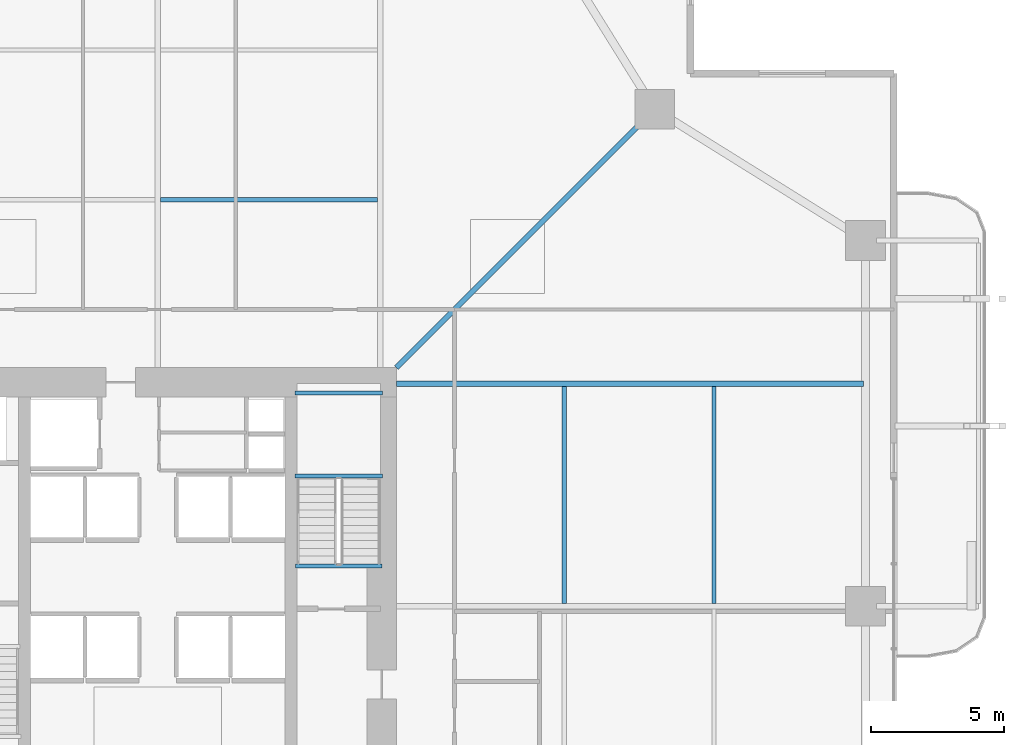
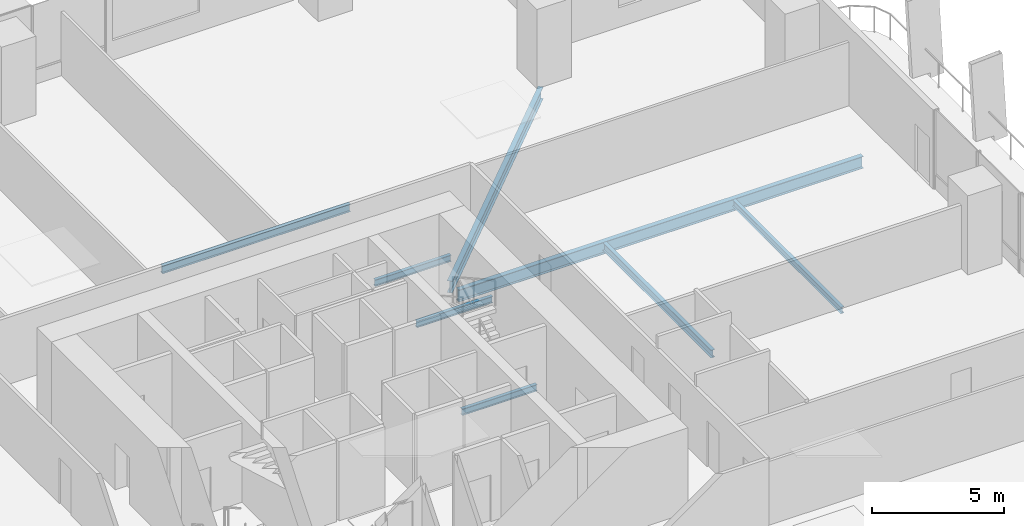
# One storey, part 12 of 24: 8 beams.
"""IFC4 building model written with IfcOpenShell, lengths in metres."""

from ifc_helpers import new_model, si_unit, direction, frame, origin, origin_2d, place, context, subcontext, project, spatial, i_section, extrude, material, material_profile, profile_set, type_object, element, save


model = new_model("IFC4")

# Units and contexts
model_context = context("Model", 3, precision=1e-05, world=origin(), true_north=direction((0.0, 1.0)))
body_context = subcontext(model_context, "Body", "Model", "MODEL_VIEW")
ifc_project = project(units=[si_unit("LENGTHUNIT", "METRE"), si_unit("AREAUNIT", "SQUARE_METRE"), si_unit("VOLUMEUNIT", "CUBIC_METRE"), si_unit("PLANEANGLEUNIT", "RADIAN"), si_unit("MASSUNIT", "GRAM", prefix="KILO")], contexts=[model_context])

# Site, building, storey
site_placement = place(None, origin())
site = spatial("IfcSite", under=ifc_project, at=site_placement, CompositionType="ELEMENT")
building_placement = place(site_placement, origin())
building = spatial("IfcBuilding", under=site, at=building_placement, Name="Belovzor Exchange Tower", CompositionType="ELEMENT")
storey_placement = place(building_placement, frame((0.0, 0.0, 33.89990234375)))
storey = spatial("IfcBuildingStorey", under=building, at=storey_placement, Name="L07", CompositionType="ELEMENT", Elevation=33.89990234375)

# Beams
ifc_material_1 = material(Name="Steel S355", Category="steel")
ifc_material_profile_1 = material_profile(ifc_material_1, i_section(OverallWidth=0.169921875, OverallDepth=0.360107421875, WebThickness=0.008056640625, FlangeThickness=0.0126953125, at=origin_2d()))
ifc_profile_set_1 = profile_set([ifc_material_profile_1], Name="Steel S355")
beam_type_1 = type_object("IfcBeamType", Name="Secondary Infill Floor Joist IPE 360", PredefinedType="BEAM", material=ifc_profile_set_1)
for number, where, z_axis, x_axis, name in (
    (1, (28.905029296875, 44.14501953125, -0.429931640625), (1.0, 0.0, 0.0), (0.0, 1.0, 0.0), "FJ-360 Secondary Infill Floor Joist IPE 360"),
    (2, (44.14501953125, 28.905029296875, -0.429931640625), (0.0, 1.0, 0.0), (-1.0, 0.0, 0.0), "FJ-360 Secondary Infill Floor Joist IPE 360"),
):
    element("IfcBeam", number, at=place(storey_placement, frame(where, z_axis=z_axis, x_axis=x_axis)), inside=storey, type_object=beam_type_1, Name=name, PredefinedType="BEAM", context=body_context, shape_type="SweptSolid", body=[
        extrude(i_section(OverallWidth=0.169921875, OverallDepth=0.360107421875, WebThickness=0.008056640625, FlangeThickness=0.0126953125, at=origin_2d()), origin(), (0.0, 0.0, 1.0), 8.18994140625),
    ])
ifc_material_2 = material(Name="Steel S355", Category="steel")
ifc_material_profile_2 = material_profile(ifc_material_2, i_section(OverallWidth=0.14990234375, OverallDepth=0.300048828125, WebThickness=0.007080078125, FlangeThickness=0.0107421875, at=origin_2d()))
ifc_profile_set_2 = profile_set([ifc_material_profile_2], Name="Steel S355")
beam_type_2 = type_object("IfcBeamType", Name="Secondary Trim Floor Joist IPE 300", PredefinedType="BEAM", material=ifc_profile_set_2)
for number, where, z_axis, x_axis, name in (
    (3, (37.280029296875, 33.7099609375, 1.60009765625), (-1.0, 0.0, 0.0), (0.0, -1.0, 0.0), "FJ-300 Secondary Trim Floor Joist IPE 300"),
    (4, (37.280029296875, 36.85009765625, 1.60009765625), (-1.0, 0.0, 0.0), (0.0, -1.0, 0.0), "FJ-300 Secondary Trim Floor Joist IPE 300"),
):
    element("IfcBeam", number, at=place(storey_placement, frame(where, z_axis=z_axis, x_axis=x_axis)), inside=storey, type_object=beam_type_2, Name=name, PredefinedType="BEAM", context=body_context, shape_type="SweptSolid", body=[
        extrude(i_section(OverallWidth=0.14990234375, OverallDepth=0.300048828125, WebThickness=0.007080078125, FlangeThickness=0.0107421875, at=origin_2d()), origin(), (0.0, 0.0, 1.0), 3.31005859375),
    ])
beam_1_placement = place(storey_placement, frame((37.260009765625, 30.320068359375, -0.39990234375), z_axis=(-1.0, 0.0, 0.0), x_axis=(0.0, -1.0, 0.0)))
element("IfcBeam", 5, at=beam_1_placement, inside=storey, type_object=beam_type_2, Name="FJ-300 Secondary Trim Floor Joist IPE 300", PredefinedType="BEAM", context=body_context, shape_type="SweptSolid", body=[
    extrude(i_section(OverallWidth=0.14990234375, OverallDepth=0.300048828125, WebThickness=0.007080078125, FlangeThickness=0.0107421875, at=origin_2d()), origin(), (0.0, 0.0, 1.0), 3.27001953125),
])
beam_2_placement = place(storey_placement, frame((49.784912109375, 28.905029296875, -0.39990234375), z_axis=(0.0, 1.0, 0.0), x_axis=(-1.0, 0.0, 0.0)))
element("IfcBeam", 6, at=beam_2_placement, inside=storey, type_object=beam_type_2, Name="FJ-300 Secondary Trim Floor Joist IPE 300", PredefinedType="BEAM", context=body_context, shape_type="SweptSolid", body=[
    extrude(i_section(OverallWidth=0.14990234375, OverallDepth=0.300048828125, WebThickness=0.007080078125, FlangeThickness=0.0107421875, at=origin_2d()), origin(), (0.0, 0.0, 1.0), 8.18994140625),
])
ifc_material_3 = material(Name="Steel S355", Category="steel")
ifc_material_profile_3 = material_profile(ifc_material_3, i_section(OverallWidth=0.2099609375, OverallDepth=0.550048828125, WebThickness=0.010986328125, FlangeThickness=0.01708984375, at=origin_2d()))
ifc_profile_set_3 = profile_set([ifc_material_profile_3], Name="Steel S355")
beam_type_3 = type_object("IfcBeamType", Name="Zone 1 Radial Composite Floor Beam IPE 550", PredefinedType="BEAM", material=ifc_profile_set_3)
beam_3_placement = place(storey_placement, frame((37.800048828125, 37.199951171875, -0.52490234375), z_axis=(1.0, 0.0, 0.0), x_axis=(0.0, 1.0, 0.0)))
element("IfcBeam", 7, at=beam_3_placement, inside=storey, type_object=beam_type_3, Name="FB-550 Zone 1 Radial Composite Floor Beam IPE 550", PredefinedType="BEAM", context=body_context, shape_type="SweptSolid", body=[
    extrude(i_section(OverallWidth=0.2099609375, OverallDepth=0.550048828125, WebThickness=0.010986328125, FlangeThickness=0.01708984375, at=origin_2d()), origin(), (0.0, 0.0, 1.0), 17.625),
])
beam_4_placement = place(storey_placement, frame((37.800048828125, 37.800048828125, -0.52490234375), z_axis=(0.707106781187, 0.707106781187, 0.0), x_axis=(-0.707106781187, 0.707106781187, 0.0)))
element("IfcBeam", 8, at=beam_4_placement, inside=storey, type_object=beam_type_3, Name="FB-550 Zone 1 Radial Composite Floor Beam IPE 550", PredefinedType="BEAM", context=body_context, shape_type="SweptSolid", body=[
    extrude(i_section(OverallWidth=0.2099609375, OverallDepth=0.550048828125, WebThickness=0.010986328125, FlangeThickness=0.01708984375, at=origin_2d()), origin(), (0.0, 0.0, 1.0), 13.25830078125),
])

save(model, "model.ifc")
